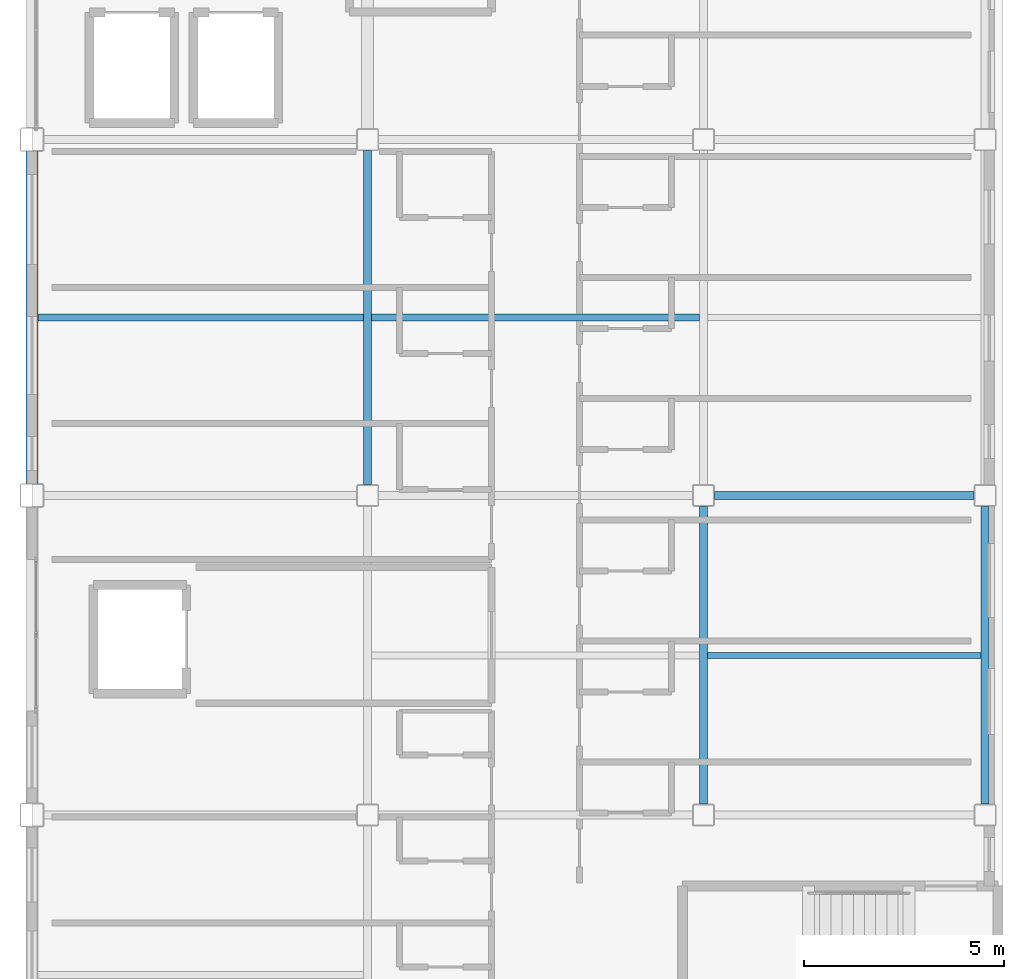
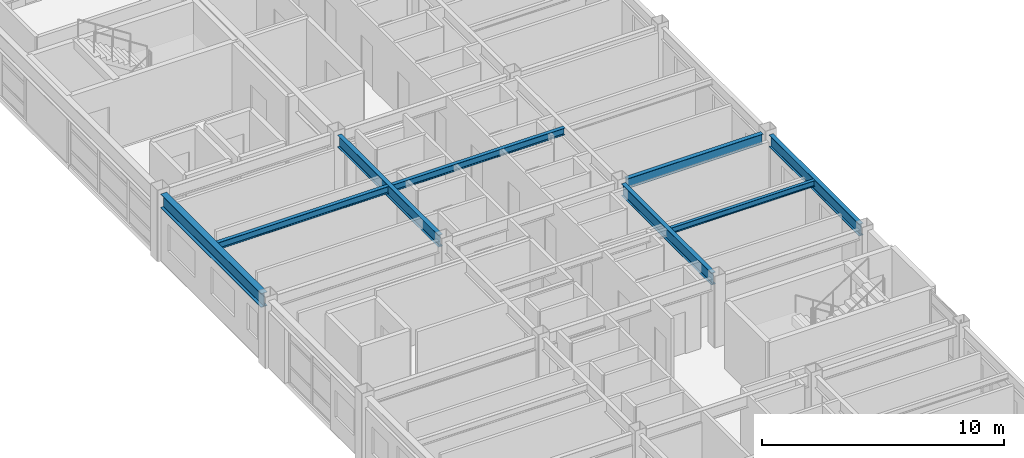
# One storey, part 11 of 36: 8 beams.
"""IFC4 building model written with IfcOpenShell, lengths in metres."""

from ifc_helpers import new_model, si_unit, direction, frame, origin, origin_2d, place, context, subcontext, project, spatial, i_section, extrude, material, material_profile, profile_set, type_object, element, save


model = new_model("IFC4")

# Units and contexts
model_context = context("Model", 3, precision=1e-05, world=origin(), true_north=direction((0.0, 1.0)))
body_context = subcontext(model_context, "Body", "Model", "MODEL_VIEW")
ifc_project = project(units=[si_unit("LENGTHUNIT", "METRE"), si_unit("AREAUNIT", "SQUARE_METRE"), si_unit("VOLUMEUNIT", "CUBIC_METRE"), si_unit("PLANEANGLEUNIT", "RADIAN"), si_unit("MASSUNIT", "GRAM", prefix="KILO")], contexts=[model_context])

# Site, building, storey
site_placement = place(None, origin())
site = spatial("IfcSite", under=ifc_project, at=site_placement, CompositionType="ELEMENT")
building_placement = place(site_placement, origin())
building = spatial("IfcBuilding", under=site, at=building_placement, Name="Kazehara Bluff Congress Hotel", CompositionType="ELEMENT")
storey_placement = place(building_placement, frame((0.0, 0.0, 31.800048828125)))
storey = spatial("IfcBuildingStorey", under=building, at=storey_placement, Name="L07", CompositionType="ELEMENT", Elevation=31.800048828125)

# Beams
ifc_material_1 = material(Name="Steel SN490B", Category="steel")
ifc_material_profile_1 = material_profile(ifc_material_1, i_section(OverallWidth=0.199951171875, OverallDepth=0.5, WebThickness=0.010009765625, FlangeThickness=0.01611328125, FilletRadius=0.012939453125, at=origin_2d()))
ifc_profile_set_1 = profile_set([ifc_material_profile_1], Name="Steel SN490B")
beam_type_1 = type_object("IfcBeamType", Name="TP-G-01", PredefinedType="BEAM", material=ifc_profile_set_1)
beam_1_placement = place(storey_placement, frame((160.77490234375, 32.0, 3.1298828125), z_axis=(1.0, 0.0, 0.0), x_axis=(0.0, 1.0, 0.0)))
element("IfcBeam", 1, at=beam_1_placement, inside=storey, type_object=beam_type_1, Name="L07 girder G-01 47", PredefinedType="BEAM", context=body_context, shape_type="SweptSolid", body=[
    extrude(i_section(OverallWidth=0.199951171875, OverallDepth=0.5, WebThickness=0.010009765625, FlangeThickness=0.01611328125, FilletRadius=0.012939453125, at=origin_2d()), origin(), (0.0, 0.0, 1.0), 6.5),
])
ifc_material_2 = material(Name="Steel SN490B", Category="steel")
ifc_material_profile_2 = material_profile(ifc_material_2, i_section(OverallWidth=0.199951171875, OverallDepth=0.60009765625, WebThickness=0.010986328125, FlangeThickness=0.01708984375, FilletRadius=0.012939453125, at=origin_2d()))
ifc_profile_set_2 = profile_set([ifc_material_profile_2], Name="Steel SN490B")
beam_type_2 = type_object("IfcBeamType", Name="TP-G-02", PredefinedType="BEAM", material=ifc_profile_set_2)
beam_2_placement = place(storey_placement, frame((152.10009765625, 32.27490234375, 3.079833984375), z_axis=(0.0, 1.0, 0.0), x_axis=(-1.0, 0.0, 0.0)))
element("IfcBeam", 2, at=beam_2_placement, inside=storey, type_object=beam_type_2, Name="L07 girder G-02 14", PredefinedType="BEAM", context=body_context, shape_type="SweptSolid", body=[
    extrude(i_section(OverallWidth=0.199951171875, OverallDepth=0.60009765625, WebThickness=0.010986328125, FlangeThickness=0.01708984375, FilletRadius=0.012939453125, at=origin_2d()), origin(), (0.0, 0.0, 1.0), 8.35009765625),
])
for number, where, z_axis, x_axis, name in (
    (3, (160.5, 24.27490234375, 3.079833984375), (0.0, 1.0, 0.0), (-1.0, 0.0, 0.0), "L07 girder G-02 21"),
    (4, (167.550048828125, 24.27490234375, 3.079833984375), (0.0, 1.0, 0.0), (-1.0, 0.0, 0.0), "L07 girder G-02 29"),
):
    element("IfcBeam", number, at=place(storey_placement, frame(where, z_axis=z_axis, x_axis=x_axis)), inside=storey, type_object=beam_type_2, Name=name, PredefinedType="BEAM", context=body_context, shape_type="SweptSolid", body=[
        extrude(i_section(OverallWidth=0.199951171875, OverallDepth=0.60009765625, WebThickness=0.010986328125, FlangeThickness=0.01708984375, FilletRadius=0.012939453125, at=origin_2d()), origin(), (0.0, 0.0, 1.0), 7.4501953125),
    ])
ifc_material_3 = material(Name="Steel SN400B", Category="steel")
ifc_material_profile_3 = material_profile(ifc_material_3, i_section(OverallWidth=0.14990234375, OverallDepth=0.300048828125, WebThickness=0.006591796875, FlangeThickness=0.009033203125, FilletRadius=0.012939453125, at=origin_2d()))
ifc_profile_set_3 = profile_set([ifc_material_profile_3], Name="Steel SN400B")
beam_type_3 = type_object("IfcBeamType", Name="TP-J-01", PredefinedType="JOIST", material=ifc_profile_set_3)
beam_3_placement = place(storey_placement, frame((160.60009765625, 28.0, 3.22998046875), z_axis=(1.0, 0.0, 0.0), x_axis=(0.0, 1.0, 0.0)))
element("IfcBeam", 5, at=beam_3_placement, inside=storey, type_object=beam_type_3, Name="L07 secondary joist J-01 14", PredefinedType="JOIST", context=body_context, shape_type="SweptSolid", body=[
    extrude(i_section(OverallWidth=0.14990234375, OverallDepth=0.300048828125, WebThickness=0.006591796875, FlangeThickness=0.009033203125, FilletRadius=0.012939453125, at=origin_2d()), origin(), (0.0, 0.0, 1.0), 6.849853515625),
])
ifc_material_4 = material(Name="Steel SN400B", Category="steel")
ifc_material_profile_4 = material_profile(ifc_material_4, i_section(OverallWidth=0.175048828125, OverallDepth=0.35009765625, WebThickness=0.007080078125, FlangeThickness=0.010986328125, FilletRadius=0.012939453125, at=origin_2d()))
ifc_profile_set_4 = profile_set([ifc_material_profile_4], Name="Steel SN400B")
beam_type_4 = type_object("IfcBeamType", Name="TP-J-02", PredefinedType="JOIST", material=ifc_profile_set_4)
beam_4_placement = place(storey_placement, frame((143.85009765625, 36.449951171875, 3.204833984375), z_axis=(1.0, 0.0, 0.0), x_axis=(0.0, 1.0, 0.0)))
element("IfcBeam", 6, at=beam_4_placement, inside=storey, type_object=beam_type_4, Name="L07 secondary joist J-02 3", PredefinedType="JOIST", context=body_context, shape_type="SweptSolid", body=[
    extrude(i_section(OverallWidth=0.175048828125, OverallDepth=0.35009765625, WebThickness=0.007080078125, FlangeThickness=0.010986328125, FilletRadius=0.012939453125, at=origin_2d()), origin(), (0.0, 0.0, 1.0), 8.14990234375),
])
beam_5_placement = place(storey_placement, frame((152.199951171875, 36.449951171875, 3.204833984375), z_axis=(1.0, 0.0, 0.0), x_axis=(0.0, 1.0, 0.0)))
element("IfcBeam", 7, at=beam_5_placement, inside=storey, type_object=beam_type_4, Name="L07 secondary joist J-02 10", PredefinedType="JOIST", context=body_context, shape_type="SweptSolid", body=[
    extrude(i_section(OverallWidth=0.175048828125, OverallDepth=0.35009765625, WebThickness=0.007080078125, FlangeThickness=0.010986328125, FilletRadius=0.012939453125, at=origin_2d()), origin(), (0.0, 0.0, 1.0), 8.199951171875),
])
ifc_material_5 = material(Name="Steel SN490B", Category="steel")
ifc_material_profile_5 = material_profile(ifc_material_5, i_section(OverallWidth=0.300048828125, OverallDepth=0.699951171875, WebThickness=0.012939453125, FlangeThickness=0.02392578125, FilletRadius=0.01806640625, at=origin_2d()))
ifc_profile_set_5 = profile_set([ifc_material_profile_5], Name="Steel SN490B")
beam_type_5 = type_object("IfcBeamType", Name="TP-SP-03", PredefinedType="SPANDREL", material=ifc_profile_set_5)
beam_6_placement = place(storey_placement, frame((143.699951171875, 32.300048828125, 3.030029296875), z_axis=(0.0, 1.0, 0.0), x_axis=(-1.0, 0.0, 0.0)))
element("IfcBeam", 8, at=beam_6_placement, inside=storey, type_object=beam_type_5, Name="L07 girder SP-03 4", PredefinedType="SPANDREL", context=body_context, shape_type="SweptSolid", body=[
    extrude(i_section(OverallWidth=0.300048828125, OverallDepth=0.699951171875, WebThickness=0.012939453125, FlangeThickness=0.02392578125, FilletRadius=0.01806640625, at=origin_2d()), origin(), (0.0, 0.0, 1.0), 8.300048828125),
])

save(model, "model.ifc")
